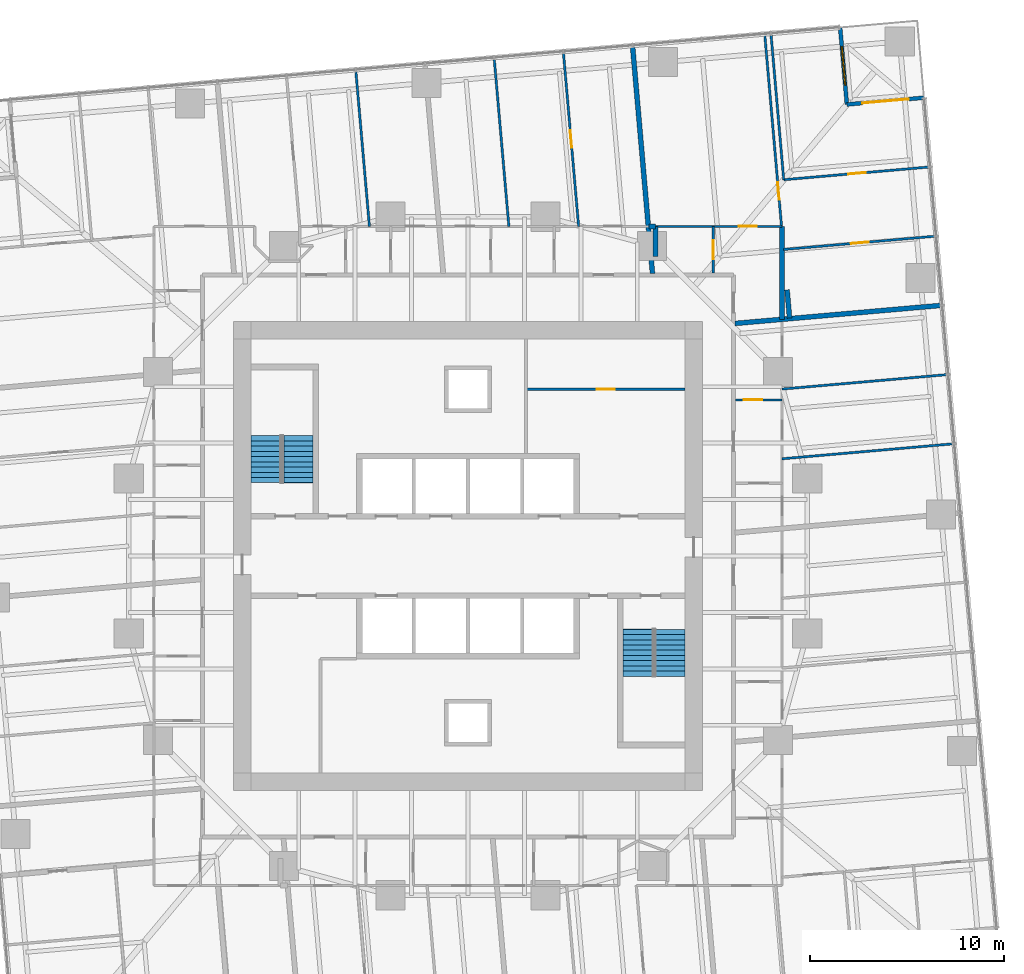
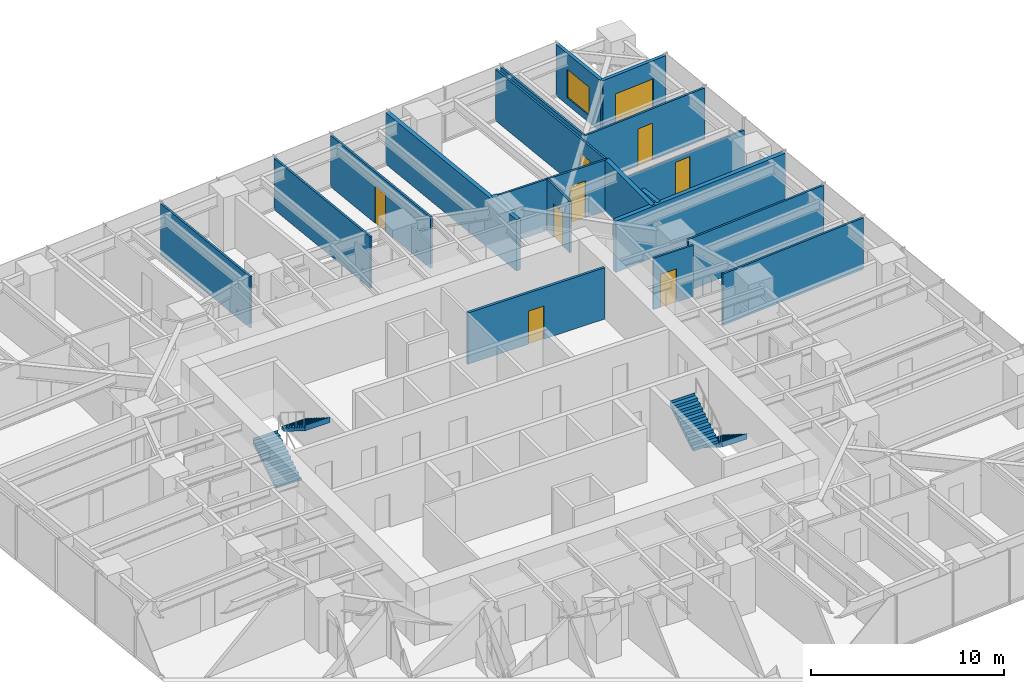
# One storey, part 13 of 14: 21 walls, 9 doors, 4 stair flights, 1 window, 10 openings, 2 elements without a shape of their own.
"""IFC4 building model written with IfcOpenShell, lengths in metres."""

from ifc_helpers import new_model, si_unit, direction, frame, frame_2d, origin, place, context, subcontext, project, spatial, polyline, rectangle, outline, extrude, material, layer, layer_set, type_object, element, fill, aggregate, save


model = new_model("IFC4")

# Units and contexts
model_context = context("Model", 3, precision=1e-05, world=origin(), true_north=direction((0.0, 1.0)))
body_context = subcontext(model_context, "Body", "Model", "MODEL_VIEW")
ifc_project = project(units=[si_unit("LENGTHUNIT", "METRE"), si_unit("AREAUNIT", "SQUARE_METRE"), si_unit("VOLUMEUNIT", "CUBIC_METRE"), si_unit("PLANEANGLEUNIT", "RADIAN"), si_unit("MASSUNIT", "GRAM", prefix="KILO")], contexts=[model_context])

# Site, building, storey
site_placement = place(None, origin())
site = spatial("IfcSite", under=ifc_project, at=site_placement, CompositionType="ELEMENT")
building_placement = place(site_placement, origin())
building = spatial("IfcBuilding", under=site, at=building_placement, Name="Torsade Residences", CompositionType="ELEMENT")
storey_placement = place(building_placement, frame((0.0, 0.0, 60.800048828125)))
storey = spatial("IfcBuildingStorey", under=building, at=storey_placement, Name="L16", CompositionType="ELEMENT", Elevation=60.800048828125)

# Wall, opening, door
ifc_material_1 = material(Name="Plasterboard on steel stud", Category="steel")
ifc_layer_1 = layer(ifc_material_1, 0.1201171875)
ifc_layer_set_1 = layer_set([ifc_layer_1], Name="Plasterboard on steel stud")
wall_type_1 = type_object("IfcWallType", Name="PARTITION 120", PredefinedType="PARTITIONING", material=ifc_layer_set_1)
wall_1_placement = place(storey_placement, frame((53.800048828125, 38.05029296875, 0.0), z_axis=(0.0, 0.0, 1.0), x_axis=(1.0, 0.0, 0.0)))
wall_1 = element("IfcWall", 1, at=wall_1_placement, inside=storey, type_object=wall_type_1, Name="Partition L16", PredefinedType="PARTITIONING", context=body_context, shape_type="SweptSolid", body=[
    extrude(rectangle(XDim=2.39990234375, YDim=0.1201171875, at=frame_2d((1.199951171875, 0.0))), origin(), (0.0, 0.0, 1.0), 3.25),
])
opening_1_placement = place(wall_1_placement, frame((0.419921875, 0.0, 0.0)))
opening_1 = element("IfcOpeningElement", 2, at=opening_1_placement, cuts=wall_1, Name="Opening D05", PredefinedType="OPENING", context=body_context, shape_type="SweptSolid", body=[
    extrude(rectangle(XDim=0.9599609375, YDim=2.10009765625, at=frame_2d((0.47998046875, 1.050048828125))), frame((0.0, 0.070068359375, 0.0), z_axis=(0.0, -1.0, 0.0), x_axis=(1.0, 0.0, 0.0)), (0.0, 0.0, 1.0), 0.14013671875),
])
ifc_material_2 = material(Name="Hollow-core timber door in a steel cavity frame", Category="steel")
door_type_1 = type_object("IfcDoorType", Name="BATHROOM CAVITY SLIDING DOOR 960", OperationType="SLIDING_TO_LEFT", PredefinedType="DOOR", material=ifc_material_2)
door_1_placement = place(opening_1_placement, origin())
door_1 = element("IfcDoor", 3, at=door_1_placement, inside=storey, type_object=door_type_1, Name="Door Kitchen and dining to Bathroom", OperationType="SLIDING_TO_LEFT", OverallHeight=2.10009765625, OverallWidth=0.9599609375, PredefinedType="DOOR", context=body_context, shape_type="SweptSolid", body=[
    extrude(rectangle(XDim=0.9599609375, YDim=2.10009765625, at=frame_2d((0.47998046875, 1.050048828125))), frame((0.0, 0.02490234375, 0.0), z_axis=(0.0, -1.0, 0.0), x_axis=(1.0, 0.0, 0.0)), (0.0, 0.0, 1.0), 0.050048828125),
])
fill(opening_1, door_1)

# Walls
wall_2_placement = place(storey_placement, frame((56.199951171875, 35.014404296875, 0.0), z_axis=(0.0, 0.0, 1.0), x_axis=(0.996194045583, 0.087163200634, 0.0)))
element("IfcWall", 4, at=wall_2_placement, inside=storey, type_object=wall_type_1, Name="Partition L16", PredefinedType="PARTITIONING", context=body_context, shape_type="SweptSolid", body=[
    extrude(rectangle(XDim=8.884765625, YDim=0.1201171875, at=frame_2d((4.4423828125, 0.0))), origin(), (0.0, 0.0, 1.0), 3.25),
])
wall_3_placement = place(storey_placement, frame((56.199951171875, 38.611328125, 0.0), z_axis=(0.0, 0.0, 1.0), x_axis=(0.996194273991, 0.087160590107, 0.0)))
element("IfcWall", 5, at=wall_3_placement, inside=storey, type_object=wall_type_1, Name="Partition L16", PredefinedType="PARTITIONING", context=body_context, shape_type="SweptSolid", body=[
    extrude(rectangle(XDim=8.5712890625, YDim=0.1201171875, at=frame_2d((4.28564453125, 0.0))), origin(), (0.0, 0.0, 1.0), 3.25),
])

# Wall, opening, door
wall_4_placement = place(storey_placement, frame((52.657470703125, 44.60009765625, 0.0), z_axis=(0.0, 0.0, 1.0), x_axis=(0.0, 1.0, 0.0)))
wall_4 = element("IfcWall", 6, at=wall_4_placement, inside=storey, type_object=wall_type_1, Name="Partition L16", PredefinedType="PARTITIONING", context=body_context, shape_type="SweptSolid", body=[
    extrude(rectangle(XDim=2.39990234375, YDim=0.1201171875, at=frame_2d((1.199951171875, 0.0))), origin(), (0.0, 0.0, 1.0), 3.25),
])
opening_2_placement = place(wall_4_placement, frame((0.719970703125, 0.0, 0.0)))
opening_2 = element("IfcOpeningElement", 7, at=opening_2_placement, cuts=wall_4, Name="Opening D05", PredefinedType="OPENING", context=body_context, shape_type="SweptSolid", body=[
    extrude(rectangle(XDim=0.9599609375, YDim=2.10009765625, at=frame_2d((0.47998046875, 1.050048828125))), frame((0.0, 0.070068359375, 0.0), z_axis=(0.0, -1.0, 0.0), x_axis=(1.0, 0.0, 0.0)), (0.0, 0.0, 1.0), 0.14013671875),
])
door_2_placement = place(opening_2_placement, origin())
door_2 = element("IfcDoor", 8, at=door_2_placement, inside=storey, type_object=door_type_1, Name="Door Kitchen and dining to Bathroom", OperationType="SLIDING_TO_LEFT", OverallHeight=2.10009765625, OverallWidth=0.9599609375, PredefinedType="DOOR", context=body_context, shape_type="SweptSolid", body=[
    extrude(rectangle(XDim=0.9599609375, YDim=2.10009765625, at=frame_2d((0.47998046875, 1.050048828125))), frame((0.0, 0.02490234375, 0.0), z_axis=(0.0, -1.0, 0.0), x_axis=(1.0, 0.0, 0.0)), (0.0, 0.0, 1.0), 0.050048828125),
])
fill(opening_2, door_2)

wall_5_placement = place(storey_placement, frame((49.68017578125, 47.0, 0.0), z_axis=(0.0, 0.0, 1.0), x_axis=(1.0, 0.0, 0.0)))
wall_5 = element("IfcWall", 9, at=wall_5_placement, inside=storey, type_object=wall_type_1, Name="Partition L16", PredefinedType="PARTITIONING", context=body_context, shape_type="SweptSolid", body=[
    extrude(rectangle(XDim=6.519775390625, YDim=0.1201171875, at=frame_2d((3.259765625, 0.0))), origin(), (0.0, 0.0, 1.0), 3.25),
])
opening_3_placement = place(wall_5_placement, frame((4.28857421875, 0.0, 0.0)))
opening_3 = element("IfcOpeningElement", 10, at=opening_3_placement, cuts=wall_5, Name="Opening D02", PredefinedType="OPENING", context=body_context, shape_type="SweptSolid", body=[
    extrude(rectangle(XDim=0.919921875, YDim=2.340087890625, at=frame_2d((0.4599609375, 1.169921875))), frame((0.0, 0.070068359375, 0.0), z_axis=(0.0, -1.0, 0.0), x_axis=(1.0, 0.0, 0.0)), (0.0, 0.0, 1.0), 0.14013671875),
])
ifc_material_3 = material(Name="Hollow-core timber door", Category="wood")
door_type_2 = type_object("IfcDoorType", Name="INTERNAL DOOR 920x2340", OperationType="NOTDEFINED", PredefinedType="DOOR", material=ifc_material_3)
door_3_placement = place(opening_3_placement, origin())
door_3 = element("IfcDoor", 11, at=door_3_placement, inside=storey, type_object=door_type_2, Name="Door Kitchen and dining to Living room", OperationType="SINGLE_SWING_RIGHT", OverallHeight=2.340087890625, OverallWidth=0.919921875, PredefinedType="DOOR", context=body_context, shape_type="SweptSolid", body=[
    extrude(rectangle(XDim=0.919921875, YDim=2.340087890625, at=frame_2d((0.4599609375, 1.169921875))), frame((0.0, 0.02490234375, 0.0), z_axis=(0.0, -1.0, 0.0), x_axis=(1.0, 0.0, 0.0)), (0.0, 0.0, 1.0), 0.050048828125),
])
fill(opening_3, door_3)

wall_6_placement = place(storey_placement, frame((55.30810546875, 56.896484375, 0.0), z_axis=(0.0, 0.0, 1.0), x_axis=(0.087145000294, -0.996195637876, 0.0)))
wall_6 = element("IfcWall", 12, at=wall_6_placement, inside=storey, type_object=wall_type_1, Name="Partition L16", PredefinedType="PARTITIONING", context=body_context, shape_type="SweptSolid", body=[
    extrude(rectangle(XDim=9.934326171875, YDim=0.1201171875, at=frame_2d((4.96728515625, 0.0))), origin(), (0.0, 0.0, 1.0), 3.25),
])
opening_4_placement = place(wall_6_placement, frame((7.63720703125, 0.0, 0.0)))
opening_4 = element("IfcOpeningElement", 13, at=opening_4_placement, cuts=wall_6, Name="Opening D02", PredefinedType="OPENING", context=body_context, shape_type="SweptSolid", body=[
    extrude(rectangle(XDim=0.919921875, YDim=2.340087890625, at=frame_2d((0.4599609375, 1.169921875))), frame((0.0, 0.070068359375, 0.0), z_axis=(0.0, -1.0, 0.0), x_axis=(1.0, 0.0, 0.0)), (0.0, 0.0, 1.0), 0.14013671875),
])
door_4_placement = place(opening_4_placement, origin())
door_4 = element("IfcDoor", 14, at=door_4_placement, inside=storey, type_object=door_type_2, Name="Door Living room to Bedroom 1", OperationType="SINGLE_SWING_RIGHT", OverallHeight=2.340087890625, OverallWidth=0.919921875, PredefinedType="DOOR", context=body_context, shape_type="SweptSolid", body=[
    extrude(rectangle(XDim=0.919921875, YDim=2.340087890625, at=frame_2d((0.4599609375, 1.169921875))), frame((0.0, 0.02490234375, 0.0), z_axis=(0.0, -1.0, 0.0), x_axis=(1.0, 0.0, 0.0)), (0.0, 0.0, 1.0), 0.050048828125),
])
fill(opening_4, door_4)

wall_7_placement = place(storey_placement, frame((64.11376953125, 46.497802734375, 0.0), z_axis=(0.0, 0.0, 1.0), x_axis=(-0.996194795495, -0.087154629416, 0.0)))
wall_7 = element("IfcWall", 15, at=wall_7_placement, inside=storey, type_object=wall_type_1, Name="Partition L16", PredefinedType="PARTITIONING", context=body_context, shape_type="SweptSolid", body=[
    extrude(rectangle(XDim=7.865966796875, YDim=0.1201171875, at=frame_2d((3.93310546875, 0.0))), origin(), (0.0, 0.0, 1.0), 2.637939453125),
])
opening_5_placement = place(wall_7_placement, frame((3.453125, 0.0, 0.0)))
opening_5 = element("IfcOpeningElement", 16, at=opening_5_placement, cuts=wall_7, Name="Opening D02", PredefinedType="OPENING", context=body_context, shape_type="SweptSolid", body=[
    extrude(rectangle(XDim=0.919921875, YDim=2.340087890625, at=frame_2d((0.4599609375, 1.169921875))), frame((0.0, 0.070068359375, 0.0), z_axis=(0.0, -1.0, 0.0), x_axis=(1.0, 0.0, 0.0)), (0.0, 0.0, 1.0), 0.14013671875),
])
door_5_placement = place(opening_5_placement, origin())
door_5 = element("IfcDoor", 17, at=door_5_placement, inside=storey, type_object=door_type_2, Name="Door Bedroom 1 to Bedroom 2", OperationType="SINGLE_SWING_RIGHT", OverallHeight=2.340087890625, OverallWidth=0.919921875, PredefinedType="DOOR", context=body_context, shape_type="SweptSolid", body=[
    extrude(rectangle(XDim=0.919921875, YDim=2.340087890625, at=frame_2d((0.4599609375, 1.169921875))), frame((0.0, 0.02490234375, 0.0), z_axis=(0.0, -1.0, 0.0), x_axis=(1.0, 0.0, 0.0)), (0.0, 0.0, 1.0), 0.050048828125),
])
fill(opening_5, door_5)

# Wall
wall_8_placement = place(storey_placement, frame((55.62939453125, 56.924560546875, 0.0), z_axis=(0.0, 0.0, 1.0), x_axis=(0.087158920508, -0.996194420069, 0.0)))
element("IfcWall", 18, at=wall_8_placement, inside=storey, type_object=wall_type_1, Name="Partition L16", PredefinedType="PARTITIONING", context=body_context, shape_type="SweptSolid", body=[
    extrude(rectangle(XDim=7.54345703125, YDim=0.1201171875, at=frame_2d((3.771728515625, 0.0))), origin(), (0.0, 0.0, 1.0), 3.25),
])

# Wall, opening, door
wall_9_placement = place(storey_placement, frame((56.286865234375, 49.409912109375, 0.0), z_axis=(0.0, 0.0, 1.0), x_axis=(0.996194420069, 0.087158920508, 0.0)))
wall_9 = element("IfcWall", 19, at=wall_9_placement, inside=storey, type_object=wall_type_1, Name="Partition L16", PredefinedType="PARTITIONING", context=body_context, shape_type="SweptSolid", body=[
    extrude(rectangle(XDim=7.54345703125, YDim=0.1201171875, at=frame_2d((3.771728515625, 0.0))), origin(), (0.0, 0.0, 1.0), 3.25),
])
opening_6_placement = place(wall_9_placement, frame((3.331787109375, 0.0, 0.0)))
opening_6 = element("IfcOpeningElement", 20, at=opening_6_placement, cuts=wall_9, Name="Opening D02", PredefinedType="OPENING", context=body_context, shape_type="SweptSolid", body=[
    extrude(rectangle(XDim=0.919921875, YDim=2.340087890625, at=frame_2d((0.4599609375, 1.169921875))), frame((0.0, 0.070068359375, 0.0), z_axis=(0.0, -1.0, 0.0), x_axis=(1.0, 0.0, 0.0)), (0.0, 0.0, 1.0), 0.14013671875),
])
door_6_placement = place(opening_6_placement, origin())
door_6 = element("IfcDoor", 21, at=door_6_placement, inside=storey, type_object=door_type_2, Name="Door Bedroom 1 to Study", OperationType="SINGLE_SWING_LEFT", OverallHeight=2.340087890625, OverallWidth=0.919921875, PredefinedType="DOOR", context=body_context, shape_type="SweptSolid", body=[
    extrude(rectangle(XDim=0.919921875, YDim=2.340087890625, at=frame_2d((0.4599609375, 1.169921875))), frame((0.0, 0.02490234375, 0.0), z_axis=(0.0, -1.0, 0.0), x_axis=(1.0, 0.0, 0.0)), (0.0, 0.0, 1.0), 0.050048828125),
])
fill(opening_6, door_6)

wall_10_placement = place(storey_placement, frame((45.706787109375, 47.0, 0.0), z_axis=(0.0, 0.0, 1.0), x_axis=(-0.087160907995, 0.996194246178, 0.0)))
wall_10 = element("IfcWall", 22, at=wall_10_placement, inside=storey, type_object=wall_type_1, Name="Partition L16", PredefinedType="PARTITIONING", context=body_context, shape_type="SweptSolid", body=[
    extrude(rectangle(XDim=9.022216796875, YDim=0.1201171875, at=frame_2d((4.51123046875, 0.0))), origin(), (0.0, 0.0, 1.0), 3.25),
])
opening_7_placement = place(wall_10_placement, frame((4.071044921875, 0.0, 0.0)))
opening_7 = element("IfcOpeningElement", 23, at=opening_7_placement, cuts=wall_10, Name="Opening D02", PredefinedType="OPENING", context=body_context, shape_type="SweptSolid", body=[
    extrude(rectangle(XDim=0.919921875, YDim=2.340087890625, at=frame_2d((0.4599609375, 1.169921875))), frame((0.0, 0.070068359375, 0.0), z_axis=(0.0, -1.0, 0.0), x_axis=(1.0, 0.0, 0.0)), (0.0, 0.0, 1.0), 0.14013671875),
])
door_7_placement = place(opening_7_placement, origin())
door_7 = element("IfcDoor", 24, at=door_7_placement, inside=storey, type_object=door_type_2, Name="Door Living room to Bedroom 1", OperationType="SINGLE_SWING_LEFT", OverallHeight=2.340087890625, OverallWidth=0.919921875, PredefinedType="DOOR", context=body_context, shape_type="SweptSolid", body=[
    extrude(rectangle(XDim=0.919921875, YDim=2.340087890625, at=frame_2d((0.4599609375, 1.169921875))), frame((0.0, 0.02490234375, 0.0), z_axis=(0.0, -1.0, 0.0), x_axis=(1.0, 0.0, 0.0)), (0.0, 0.0, 1.0), 0.050048828125),
])
fill(opening_7, door_7)

# Walls
wall_11_placement = place(storey_placement, frame((42.109619140625, 47.0, 0.0), z_axis=(0.0, 0.0, 1.0), x_axis=(-0.087158256162, 0.996194478193, 0.0)))
element("IfcWall", 25, at=wall_11_placement, inside=storey, type_object=wall_type_1, Name="Partition L16", PredefinedType="PARTITIONING", context=body_context, shape_type="SweptSolid", body=[
    extrude(rectangle(XDim=8.708740234375, YDim=0.1201171875, at=frame_2d((4.3544921875, 0.0))), origin(), (0.0, 0.0, 1.0), 3.25),
])
wall_12_placement = place(storey_placement, frame((34.915771484375, 47.0, 0.0), z_axis=(0.0, 0.0, 1.0), x_axis=(-0.087184938313, 0.99619214338, 0.0)))
element("IfcWall", 26, at=wall_12_placement, inside=storey, type_object=wall_type_1, Name="Partition L16", PredefinedType="PARTITIONING", context=body_context, shape_type="SweptSolid", body=[
    extrude(rectangle(XDim=8.08154296875, YDim=0.1201171875, at=frame_2d((4.040771484375, 0.0))), origin(), (0.0, 0.0, 1.0), 3.25),
])
ifc_material_4 = material(Name="Masonry-lined stud party wall", Category="masonry")
ifc_layer_2 = layer(ifc_material_4, 0.25)
ifc_layer_set_2 = layer_set([ifc_layer_2], Name="Masonry-lined stud party wall")
wall_type_2 = type_object("IfcWallType", Name="PARTY WALL 250", PredefinedType="PARTITIONING", material=ifc_layer_set_2)
wall_13_placement = place(storey_placement, frame((64.466064453125, 42.931640625, 0.0), z_axis=(0.0, 0.0, 1.0), x_axis=(-0.996193939644, -0.08716441141, 0.0)))
element("IfcWall", 27, at=wall_13_placement, inside=storey, type_object=wall_type_2, Name="Party wall L16", PredefinedType="PARTITIONING", context=body_context, shape_type="SweptSolid", body=[
    extrude(rectangle(XDim=10.73583984375, YDim=0.25, at=frame_2d((5.367919921875, 0.0))), origin(), (0.0, 0.0, 1.0), 3.25),
])
wall_14_placement = place(storey_placement, frame((48.486572265625, 56.33984375, 0.0), z_axis=(0.0, 0.0, 1.0), x_axis=(0.087168232078, -0.996193605338, 0.0)))
element("IfcWall", 28, at=wall_14_placement, inside=storey, type_object=wall_type_2, Name="Party wall L16", PredefinedType="PARTITIONING", context=body_context, shape_type="SweptSolid", body=[
    extrude(rectangle(XDim=11.813720703125, YDim=0.25, at=frame_2d((5.90673828125, 0.0))), origin(), (0.0, 0.0, 1.0), 3.25),
])
wall_15_placement = place(storey_placement, frame((56.199951171875, 42.20849609375, 0.0), z_axis=(0.0, 0.0, 1.0), x_axis=(0.0, 1.0, 0.0)))
element("IfcWall", 29, at=wall_15_placement, inside=storey, type_object=wall_type_2, Name="Party wall L16", PredefinedType="PARTITIONING", context=body_context, shape_type="SweptSolid", body=[
    extrude(rectangle(XDim=4.79150390625, YDim=0.25, at=frame_2d((2.395751953125, 0.0))), origin(), (0.0, 0.0, 1.0), 3.25),
])
wall_16_placement = place(storey_placement, frame((56.4599609375, 43.7294921875, 0.0), z_axis=(0.0, 0.0, 1.0), x_axis=(0.087133819286, -0.996196615903, 0.0)))
element("IfcWall", 30, at=wall_16_placement, inside=storey, type_object=wall_type_2, Name="Party wall L16", PredefinedType="PARTITIONING", context=body_context, shape_type="SweptSolid", body=[
    extrude(rectangle(XDim=1.462646484375, YDim=0.25, at=frame_2d((0.7314453125, 0.0))), origin(), (0.0, 0.0, 1.0), 3.25),
])
wall_17_placement = place(storey_placement, frame((49.68017578125, 47.0, 0.0), z_axis=(0.0, 0.0, 1.0), x_axis=(0.0, -1.0, 0.0)))
element("IfcWall", 31, at=wall_17_placement, inside=storey, type_object=wall_type_2, Name="Party wall L16", PredefinedType="PARTITIONING", context=body_context, shape_type="SweptSolid", body=[
    extrude(rectangle(XDim=1.549072265625, YDim=0.25, at=frame_2d((0.7744140625, 0.0))), origin(), (0.0, 0.0, 1.0), 3.25),
])
wall_18_placement = place(storey_placement, frame((49.328369140625, 47.000244140625, 0.0), z_axis=(0.0, 0.0, 1.0), x_axis=(0.999999759208, -0.000693962359, 0.0)))
element("IfcWall", 32, at=wall_18_placement, inside=storey, type_object=wall_type_2, Name="Party wall L16", PredefinedType="PARTITIONING", context=body_context, shape_type="SweptSolid", body=[
    extrude(rectangle(XDim=0.351806640625, YDim=0.25, at=frame_2d((0.17578125, 0.0))), origin(), (0.0, 0.0, 1.0), 3.25),
])

# Wall, opening, door
ifc_material_5 = material(Name="Reinforced blockwork", Category="masonry")
ifc_layer_3 = layer(ifc_material_5, 0.14990234375)
ifc_layer_set_3 = layer_set([ifc_layer_3], Name="Reinforced blockwork")
wall_type_3 = type_object("IfcWallType", Name="SERVICE ROOM WALL 150", PredefinedType="SOLIDWALL", material=ifc_layer_set_3)
wall_19_placement = place(storey_placement, frame((43.0, 38.60009765625, 0.0), z_axis=(0.0, 0.0, 1.0), x_axis=(1.0, 0.0, 0.0)))
wall_19 = element("IfcWall", 33, at=wall_19_placement, inside=storey, type_object=wall_type_3, Name="Service room wall L16", PredefinedType="SOLIDWALL", context=body_context, shape_type="SweptSolid", body=[
    extrude(rectangle(XDim=8.199951171875, YDim=0.14990234375, at=frame_2d((4.10009765625, 0.0))), origin(), (0.0, 0.0, 1.0), 3.25),
])
opening_8_placement = place(wall_19_placement, frame((3.639892578125, 0.0, 0.0)))
opening_8 = element("IfcOpeningElement", 34, at=opening_8_placement, cuts=wall_19, Name="Opening D06", PredefinedType="OPENING", context=body_context, shape_type="SweptSolid", body=[
    extrude(rectangle(XDim=0.919921875, YDim=2.10009765625, at=frame_2d((0.4599609375, 1.050048828125))), frame((0.0, 0.0849609375, 0.0), z_axis=(0.0, -1.0, 0.0), x_axis=(1.0, 0.0, 0.0)), (0.0, 0.0, 1.0), 0.169921875),
])
ifc_material_6 = material(Name="Steel-framed fire door", Category="steel")
door_type_3 = type_object("IfcDoorType", Name="FIRE DOOR 920", OperationType="NOTDEFINED", PredefinedType="DOOR", material=ifc_material_6)
door_8_placement = place(opening_8_placement, origin())
door_8 = element("IfcDoor", 35, at=door_8_placement, inside=storey, type_object=door_type_3, Name="Door Refuse room to Bulky waste store", OperationType="SINGLE_SWING_LEFT", OverallHeight=2.10009765625, OverallWidth=0.919921875, PredefinedType="DOOR", context=body_context, shape_type="SweptSolid", body=[
    extrude(rectangle(XDim=0.919921875, YDim=2.10009765625, at=frame_2d((0.4599609375, 1.050048828125))), frame((0.0, 0.02490234375, 0.0), z_axis=(0.0, -1.0, 0.0), x_axis=(1.0, 0.0, 0.0)), (0.0, 0.0, 1.0), 0.050048828125),
])
fill(opening_8, door_8)

ifc_material_7 = material(Name="Stone-faced precast concrete 40 MPa panel", Category="masonry")
ifc_layer_4 = layer(ifc_material_7, 0.199951171875)
ifc_layer_set_4 = layer_set([ifc_layer_4], Name="Stone-faced precast concrete 40 MPa panel")
wall_type_4 = type_object("IfcWallType", Name="TERRACE WALL 200", PredefinedType="SOLIDWALL", material=ifc_layer_set_4)
wall_20_placement = place(storey_placement, frame((63.529052734375, 53.640625, 0.0), z_axis=(0.0, 0.0, 1.0), x_axis=(-0.99619418125, -0.087161650072, 0.0)))
wall_20 = element("IfcWall", 36, at=wall_20_placement, inside=storey, type_object=wall_type_4, Name="Terrace wall L16 5", PredefinedType="SOLIDWALL", context=body_context, shape_type="SweptSolid", body=[
    extrude(rectangle(XDim=3.999755859375, YDim=0.199951171875, at=frame_2d((2.0, 0.0))), origin(), (0.0, 0.0, 1.0), 3.25),
])
opening_9_placement = place(wall_20_placement, frame((0.800048828125, 0.0, 0.0)))
opening_9 = element("IfcOpeningElement", 37, at=opening_9_placement, cuts=wall_20, Name="Opening D10A", PredefinedType="OPENING", context=body_context, shape_type="SweptSolid", body=[
    extrude(rectangle(XDim=2.39990234375, YDim=2.10009765625, at=frame_2d((1.199951171875, 1.050048828125))), frame((0.0, 0.10986328125, 0.0), z_axis=(0.0, -1.0, 0.0), x_axis=(1.0, 0.0, 0.0)), (0.0, 0.0, 1.0), 0.219970703125),
])
ifc_material_8 = material(Name="Aluminium-framed glass door", Category="aluminium")
door_type_4 = type_object("IfcDoorType", Name="TERRACE SLIDING DOOR 2400x2100", OperationType="SLIDING_TO_LEFT", PredefinedType="DOOR", material=ifc_material_8)
door_9_placement = place(opening_9_placement, origin())
door_9 = element("IfcDoor", 38, at=door_9_placement, inside=storey, type_object=door_type_4, Name="Terrace door L16 5", OperationType="SLIDING_TO_LEFT", OverallHeight=2.10009765625, OverallWidth=2.39990234375, PredefinedType="DOOR", context=body_context, shape_type="SweptSolid", body=[
    extrude(rectangle(XDim=2.39990234375, YDim=2.10009765625, at=frame_2d((1.199951171875, 1.050048828125))), frame((0.0, 0.02490234375, 0.0), z_axis=(0.0, -1.0, 0.0), x_axis=(1.0, 0.0, 0.0)), (0.0, 0.0, 1.0), 0.050048828125),
])
fill(opening_9, door_9)

# Wall, opening, window
wall_21_placement = place(storey_placement, frame((59.54443359375, 53.2919921875, 0.0), z_axis=(0.0, 0.0, 1.0), x_axis=(-0.087156350505, 0.99619464492, 0.0)))
wall_21 = element("IfcWall", 39, at=wall_21_placement, inside=storey, type_object=wall_type_4, Name="Terrace wall L16 6", PredefinedType="SOLIDWALL", context=body_context, shape_type="SweptSolid", body=[
    extrude(rectangle(XDim=4.0, YDim=0.199951171875, at=frame_2d((2.0, 0.0))), origin(), (0.0, 0.0, 1.0), 3.25),
])
opening_10_placement = place(wall_21_placement, frame((1.0, 0.0, 0.449951171875)))
opening_10 = element("IfcOpeningElement", 40, at=opening_10_placement, cuts=wall_21, Name="Opening W1B", PredefinedType="OPENING", context=body_context, shape_type="SweptSolid", body=[
    extrude(rectangle(XDim=2.0, YDim=1.800048828125, at=frame_2d((1.0, 0.89990234375))), frame((0.0, 0.10986328125, 0.0), z_axis=(0.0, -1.0, 0.0), x_axis=(1.0, 0.0, 0.0)), (0.0, 0.0, 1.0), 0.219970703125),
])
ifc_material_9 = material(Name="Aluminium-framed glass window", Category="aluminium")
window_type = type_object("IfcWindowType", Name="TERRACE WINDOW 2000x1800", PartitioningType="SINGLE_PANEL", PredefinedType="WINDOW", material=ifc_material_9)
window_placement = place(opening_10_placement, origin())
window = element("IfcWindow", 41, at=window_placement, inside=storey, type_object=window_type, Name="Terrace window L16 6", OverallHeight=1.800048828125, OverallWidth=2.0, PartitioningType="SINGLE_PANEL", PredefinedType="WINDOW", context=body_context, shape_type="SweptSolid", body=[
    extrude(rectangle(XDim=2.0, YDim=1.800048828125, at=frame_2d((1.0, 0.89990234375))), frame((0.0, 0.030029296875, 0.0), z_axis=(0.0, -1.0, 0.0), x_axis=(1.0, 0.0, 0.0)), (0.0, 0.0, 1.0), 0.06005859375),
])
fill(opening_10, window)

# Stair, stair flights
ifc_material_10 = material(Name="Precast concrete 40 MPa", Category="concrete")
stair_type = type_object("IfcStairType", Name="HALF-TURN FIRE STAIR 1500x3400", PredefinedType="HALF_TURN_STAIR", material=ifc_material_10)
stair_1_placement = place(storey_placement, origin())
stair_1 = element("IfcStair", 42, at=stair_1_placement, inside=storey, type_object=stair_type, Name="Stair ST1 L16", PredefinedType="HALF_TURN_STAIR")
ifc_material_11 = material(Name="Precast concrete 40 MPa", Category="concrete")
stair_flight_type = type_object("IfcStairFlightType", Name="PRECAST STAIR FLIGHT 1500x1700", PredefinedType="STRAIGHT", material=ifc_material_11)
stair_flight_1_placement = place(storey_placement, frame((29.550048828125, 33.780029296875, 0.0), z_axis=(0.0, 0.0, 1.0), x_axis=(0.0, 1.0, 0.0)))
stair_flight_1 = element("IfcStairFlight", 43, at=stair_flight_1_placement, type_object=stair_flight_type, Name="ST1 flight 1", NumberOfRisers=10, NumberOfTreads=9, PredefinedType="STRAIGHT", RiserHeight=0.17, TreadLength=0.27, context=body_context, shape_type="SweptSolid", body=[
    extrude(outline(polyline([(0.0, 0.0), (0.0, 0.169921875), (0.27001953125, 0.169921875), (0.27001953125, 0.340087890625), (0.5400390625, 0.340087890625), (0.5400390625, 0.510009765625), (0.81005859375, 0.510009765625), (0.81005859375, 0.679931640625), (1.080078125, 0.679931640625), (1.080078125, 0.85009765625), (1.35009765625, 0.85009765625), (1.35009765625, 1.02001953125), (1.6201171875, 1.02001953125), (1.6201171875, 1.18994140625), (1.889892578125, 1.18994140625), (1.889892578125, 1.360107421875), (2.159912109375, 1.360107421875), (2.159912109375, 1.530029296875), (2.429931640625, 1.530029296875), (2.429931640625, 1.699951171875), (2.43994140625, 1.699951171875), (2.43994140625, 1.352783203125), (2.429931640625, 1.352783203125), (0.28125, 0.0), (0.0, 0.0)])), frame((0.0, 0.75, 0.0), z_axis=(0.0, -1.0, 0.0), x_axis=(1.0, 0.0, 0.0)), (0.0, 0.0, 1.0), 1.5),
])
stair_flight_2_placement = place(storey_placement, frame((31.25, 36.2099609375, 1.699951171875), z_axis=(0.0, 0.0, 1.0), x_axis=(0.0, -1.0, 0.0)))
stair_flight_2 = element("IfcStairFlight", 44, at=stair_flight_2_placement, type_object=stair_flight_type, Name="ST1 flight 2", NumberOfRisers=10, NumberOfTreads=9, PredefinedType="STRAIGHT", RiserHeight=0.17, TreadLength=0.27, context=body_context, shape_type="SweptSolid", body=[
    extrude(outline(polyline([(0.0, 0.0), (0.0, 0.169921875), (0.27001953125, 0.169921875), (0.27001953125, 0.340087890625), (0.5400390625, 0.340087890625), (0.5400390625, 0.510009765625), (0.81005859375, 0.510009765625), (0.81005859375, 0.679931640625), (1.080078125, 0.679931640625), (1.080078125, 0.85009765625), (1.35009765625, 0.85009765625), (1.35009765625, 1.02001953125), (1.6201171875, 1.02001953125), (1.6201171875, 1.18994140625), (1.889892578125, 1.18994140625), (1.889892578125, 1.360107421875), (2.159912109375, 1.360107421875), (2.159912109375, 1.530029296875), (2.429931640625, 1.530029296875), (2.429931640625, 1.699951171875), (2.43994140625, 1.699951171875), (2.43994140625, 1.352783203125), (2.429931640625, 1.352783203125), (0.28125, 0.0), (0.0, 0.0)])), frame((0.0, 0.75, 0.0), z_axis=(0.0, -1.0, 0.0), x_axis=(1.0, 0.0, 0.0)), (0.0, 0.0, 1.0), 1.5),
])
aggregate(stair_1, [stair_flight_1, stair_flight_2])

stair_2_placement = place(storey_placement, origin())
stair_2 = element("IfcStair", 45, at=stair_2_placement, inside=storey, type_object=stair_type, Name="Stair ST2 L16", PredefinedType="HALF_TURN_STAIR")
stair_flight_3_placement = place(storey_placement, frame((50.449951171875, 26.219970703125, 0.0), z_axis=(0.0, 0.0, 1.0), x_axis=(0.0, -1.0, 0.0)))
stair_flight_3 = element("IfcStairFlight", 46, at=stair_flight_3_placement, type_object=stair_flight_type, Name="ST2 flight 1", NumberOfRisers=10, NumberOfTreads=9, PredefinedType="STRAIGHT", RiserHeight=0.17, TreadLength=0.27, context=body_context, shape_type="SweptSolid", body=[
    extrude(outline(polyline([(0.0, 0.0), (0.0, 0.169921875), (0.27001953125, 0.169921875), (0.27001953125, 0.340087890625), (0.5400390625, 0.340087890625), (0.5400390625, 0.510009765625), (0.81005859375, 0.510009765625), (0.81005859375, 0.679931640625), (1.080078125, 0.679931640625), (1.080078125, 0.85009765625), (1.35009765625, 0.85009765625), (1.35009765625, 1.02001953125), (1.6201171875, 1.02001953125), (1.6201171875, 1.18994140625), (1.889892578125, 1.18994140625), (1.889892578125, 1.360107421875), (2.159912109375, 1.360107421875), (2.159912109375, 1.530029296875), (2.429931640625, 1.530029296875), (2.429931640625, 1.699951171875), (2.43994140625, 1.699951171875), (2.43994140625, 1.352783203125), (2.429931640625, 1.352783203125), (0.28125, 0.0), (0.0, 0.0)])), frame((0.0, 0.75, 0.0), z_axis=(0.0, -1.0, 0.0), x_axis=(1.0, 0.0, 0.0)), (0.0, 0.0, 1.0), 1.5),
])
stair_flight_4_placement = place(storey_placement, frame((48.75, 23.7900390625, 1.699951171875), z_axis=(0.0, 0.0, 1.0), x_axis=(0.0, 1.0, 0.0)))
stair_flight_4 = element("IfcStairFlight", 47, at=stair_flight_4_placement, type_object=stair_flight_type, Name="ST2 flight 2", NumberOfRisers=10, NumberOfTreads=9, PredefinedType="STRAIGHT", RiserHeight=0.17, TreadLength=0.27, context=body_context, shape_type="SweptSolid", body=[
    extrude(outline(polyline([(0.0, 0.0), (0.0, 0.169921875), (0.27001953125, 0.169921875), (0.27001953125, 0.340087890625), (0.5400390625, 0.340087890625), (0.5400390625, 0.510009765625), (0.81005859375, 0.510009765625), (0.81005859375, 0.679931640625), (1.080078125, 0.679931640625), (1.080078125, 0.85009765625), (1.35009765625, 0.85009765625), (1.35009765625, 1.02001953125), (1.6201171875, 1.02001953125), (1.6201171875, 1.18994140625), (1.889892578125, 1.18994140625), (1.889892578125, 1.360107421875), (2.159912109375, 1.360107421875), (2.159912109375, 1.530029296875), (2.429931640625, 1.530029296875), (2.429931640625, 1.699951171875), (2.43994140625, 1.699951171875), (2.43994140625, 1.352783203125), (2.429931640625, 1.352783203125), (0.28125, 0.0), (0.0, 0.0)])), frame((0.0, 0.75, 0.0), z_axis=(0.0, -1.0, 0.0), x_axis=(1.0, 0.0, 0.0)), (0.0, 0.0, 1.0), 1.5),
])
aggregate(stair_2, [stair_flight_3, stair_flight_4])

save(model, "model.ifc")
